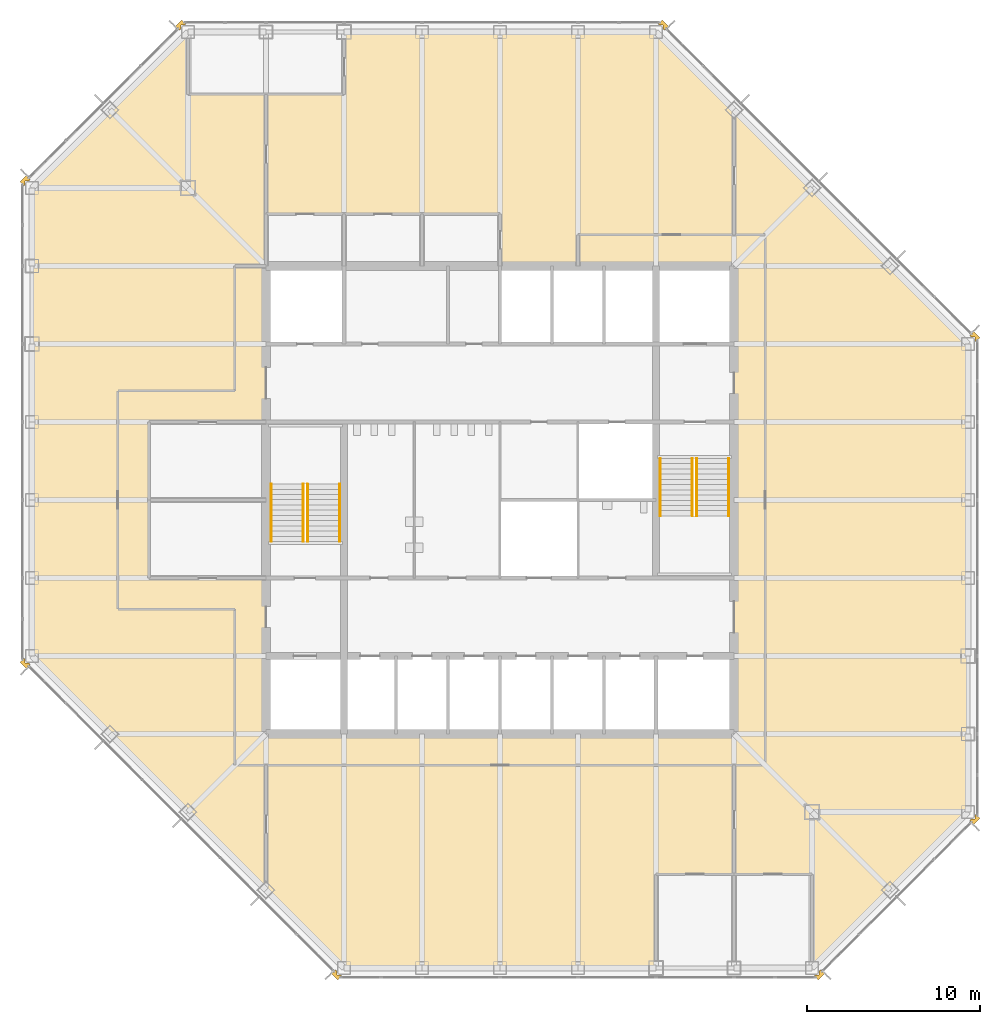
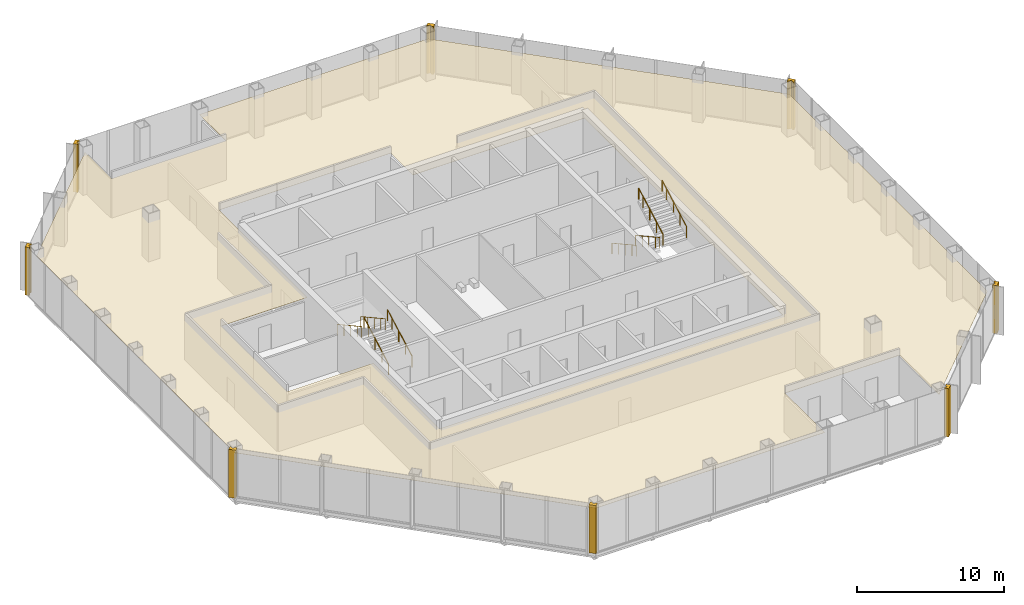
# One storey, part 11 of 12: 9 coverings, 8 railings.
"""IFC4 building model written with IfcOpenShell, lengths in metres."""

from ifc_helpers import new_model, si_unit, direction, frame, origin, origin_2d, place, context, subcontext, project, spatial, polyline, circle, outline, extrude, material, layer, layer_set, type_object, element, save


model = new_model("IFC4")

# Units and contexts
model_context = context("Model", 3, precision=1e-05, world=origin(), true_north=direction((0.0, 1.0)))
body_context = subcontext(model_context, "Body", "Model", "MODEL_VIEW")
ifc_project = project(units=[si_unit("LENGTHUNIT", "METRE"), si_unit("AREAUNIT", "SQUARE_METRE"), si_unit("VOLUMEUNIT", "CUBIC_METRE"), si_unit("PLANEANGLEUNIT", "RADIAN"), si_unit("MASSUNIT", "GRAM", prefix="KILO")], contexts=[model_context])

# Site, building, storey
site_placement = place(None, origin())
site = spatial("IfcSite", under=ifc_project, at=site_placement, CompositionType="ELEMENT")
building_placement = place(site_placement, origin())
building = spatial("IfcBuilding", under=site, at=building_placement, Name="Corais Broadcast Tower", CompositionType="ELEMENT")
storey_placement = place(building_placement, frame((0.0, 0.0, 131.60009765625)))
storey = spatial("IfcBuildingStorey", under=building, at=storey_placement, Name="L29", CompositionType="ELEMENT", Elevation=131.60009765625)

# Railings
ifc_material_1 = material(Name="Stainless steel handrail", Category="steel")
railing_type = type_object("IfcRailingType", Name="Handrail 920", PredefinedType="HANDRAIL", material=ifc_material_1)
for number, where, name in (
    (1, (17.75, 24.60009765625, 0.16650390625), "HR1 L29"),
    (2, (15.89990234375, 24.60009765625, 0.16650390625), "HR1 L29"),
):
    element("IfcRailing", number, at=place(storey_placement, frame(where)), inside=storey, type_object=railing_type, Name=name, PredefinedType="HANDRAIL", context=body_context, shape_type="SweptSolid", body=[
        extrude(circle(Radius=0.02392578125, at=origin_2d()), frame((0.0, 0.0, 0.89599609375), z_axis=(0.0, 0.875504475178, 0.483210010185), x_axis=(-1.0, 0.0, 0.0)), (0.0, 0.0, 1.0), 3.79443359375),
        extrude(circle(Radius=0.02099609375, at=origin_2d()), origin(), (0.0, 0.0, 1.0), 0.871826171875),
        extrude(circle(Radius=0.02099609375, at=origin_2d()), frame((0.0, 0.906005859375, 0.5)), (0.0, 0.0, 1.0), 0.871826171875),
        extrude(circle(Radius=0.02099609375, at=origin_2d()), frame((0.0, 1.81201171875, 1.0)), (0.0, 0.0, 1.0), 0.871826171875),
        extrude(circle(Radius=0.02099609375, at=origin_2d()), frame((0.0, 2.718017578125, 1.500244140625)), (0.0, 0.0, 1.0), 0.871826171875),
        extrude(circle(Radius=0.02099609375, at=origin_2d()), frame((0.0, 3.322021484375, 1.83349609375)), (0.0, 0.0, 1.0), 0.871826171875),
    ])
for number, where, name in (
    (3, (13.800048828125, 27.922119140625, 2.16650390625), "HR1 L29"),
    (4, (15.64990234375, 27.922119140625, 2.16650390625), "HR1 L29"),
    (5, (36.25, 29.39990234375, 0.16650390625), "HR1 L29"),
    (6, (38.10009765625, 29.39990234375, 0.16650390625), "HR1 L29"),
):
    element("IfcRailing", number, at=place(storey_placement, frame(where)), inside=storey, type_object=railing_type, Name=name, PredefinedType="HANDRAIL", context=body_context, shape_type="SweptSolid", body=[
        extrude(circle(Radius=0.02392578125, at=origin_2d()), frame((0.0, 0.0, 0.89599609375), z_axis=(0.0, -0.875504475178, 0.483210010185), x_axis=(1.0, 0.0, 0.0)), (0.0, 0.0, 1.0), 3.79443359375),
        extrude(circle(Radius=0.02099609375, at=origin_2d()), origin(), (0.0, 0.0, 1.0), 0.871826171875),
        extrude(circle(Radius=0.02099609375, at=origin_2d()), frame((0.0, -0.906005859375, 0.5)), (0.0, 0.0, 1.0), 0.871826171875),
        extrude(circle(Radius=0.02099609375, at=origin_2d()), frame((0.0, -1.81201171875, 1.0)), (0.0, 0.0, 1.0), 0.871826171875),
        extrude(circle(Radius=0.02099609375, at=origin_2d()), frame((0.0, -2.718017578125, 1.500244140625)), (0.0, 0.0, 1.0), 0.871826171875),
        extrude(circle(Radius=0.02099609375, at=origin_2d()), frame((0.0, -3.322021484375, 1.83349609375)), (0.0, 0.0, 1.0), 0.871826171875),
    ])
for number, where, name in (
    (7, (40.199951171875, 26.077880859375, 2.16650390625), "HR1 L29"),
    (8, (38.35009765625, 26.077880859375, 2.16650390625), "HR1 L29"),
):
    element("IfcRailing", number, at=place(storey_placement, frame(where)), inside=storey, type_object=railing_type, Name=name, PredefinedType="HANDRAIL", context=body_context, shape_type="SweptSolid", body=[
        extrude(circle(Radius=0.02392578125, at=origin_2d()), frame((0.0, 0.0, 0.89599609375), z_axis=(0.0, 0.875504475178, 0.483210010185), x_axis=(-1.0, 0.0, 0.0)), (0.0, 0.0, 1.0), 3.79443359375),
        extrude(circle(Radius=0.02099609375, at=origin_2d()), origin(), (0.0, 0.0, 1.0), 0.871826171875),
        extrude(circle(Radius=0.02099609375, at=origin_2d()), frame((0.0, 0.906005859375, 0.5)), (0.0, 0.0, 1.0), 0.871826171875),
        extrude(circle(Radius=0.02099609375, at=origin_2d()), frame((0.0, 1.81201171875, 1.0)), (0.0, 0.0, 1.0), 0.871826171875),
        extrude(circle(Radius=0.02099609375, at=origin_2d()), frame((0.0, 2.718017578125, 1.500244140625)), (0.0, 0.0, 1.0), 0.871826171875),
        extrude(circle(Radius=0.02099609375, at=origin_2d()), frame((0.0, 3.322021484375, 1.83349609375)), (0.0, 0.0, 1.0), 0.871826171875),
    ])

# Coverings
ifc_material_2 = material(Name="Granite stone cladding", Category="masonry")
ifc_layer_1 = layer(ifc_material_2, 0.324951171875)
ifc_layer_set_1 = layer_set([ifc_layer_1], Name="Granite stone cladding")
covering_type_1 = type_object("IfcCoveringType", Name="Stone corner pier cladding 500x325", PredefinedType="CLADDING", material=ifc_layer_set_1)
covering_1_placement = place(storey_placement, origin())
element("IfcCovering", 9, at=covering_1_placement, inside=storey, type_object=covering_type_1, Name="SP1 stone corner pier L29", PredefinedType="CLADDING", context=body_context, shape_type="SweptSolid", body=[
    extrude(outline(polyline([(17.860595703125, -0.461669921875), (17.799072265625, -0.39990234375), (17.60009765625, -0.39990234375), (17.60009765625, -0.200927734375), (17.507080078125, -0.108154296875), (17.277099609375, -0.337890625), (17.630859375, -0.69140625), (17.860595703125, -0.461669921875)])), origin(), (0.0, 0.0, 1.0), 4.0),
])
covering_2_placement = place(storey_placement, origin())
element("IfcCovering", 10, at=covering_2_placement, inside=storey, type_object=covering_type_1, Name="SP1 stone corner pier L29", PredefinedType="CLADDING", context=body_context, shape_type="SweptSolid", body=[
    extrude(outline(polyline([(-0.39990234375, 17.799072265625), (-0.461669921875, 17.860595703125), (-0.69140625, 17.630859375), (-0.337890625, 17.277099609375), (-0.108154296875, 17.507080078125), (-0.200927734375, 17.60009765625), (-0.39990234375, 17.60009765625), (-0.39990234375, 17.799072265625)])), origin(), (0.0, 0.0, 1.0), 4.0),
])
covering_3_placement = place(storey_placement, origin())
element("IfcCovering", 11, at=covering_3_placement, inside=storey, type_object=covering_type_1, Name="SP1 stone corner pier L29", PredefinedType="CLADDING", context=body_context, shape_type="SweptSolid", body=[
    extrude(outline(polyline([(-0.461669921875, 45.139404296875), (-0.39990234375, 45.200927734375), (-0.39990234375, 45.39990234375), (-0.200927734375, 45.39990234375), (-0.108154296875, 45.492919921875), (-0.337890625, 45.722900390625), (-0.69140625, 45.369140625), (-0.461669921875, 45.139404296875)])), origin(), (0.0, 0.0, 1.0), 4.0),
])
covering_4_placement = place(storey_placement, origin())
element("IfcCovering", 12, at=covering_4_placement, inside=storey, type_object=covering_type_1, Name="SP1 stone corner pier L29", PredefinedType="CLADDING", context=body_context, shape_type="SweptSolid", body=[
    extrude(outline(polyline([(8.799072265625, 54.39990234375), (8.860595703125, 54.461669921875), (8.630859375, 54.69140625), (8.277099609375, 54.337890625), (8.507080078125, 54.108154296875), (8.60009765625, 54.200927734375), (8.60009765625, 54.39990234375), (8.799072265625, 54.39990234375)])), origin(), (0.0, 0.0, 1.0), 4.0),
])
covering_5_placement = place(storey_placement, origin())
element("IfcCovering", 13, at=covering_5_placement, inside=storey, type_object=covering_type_1, Name="SP1 stone corner pier L29", PredefinedType="CLADDING", context=body_context, shape_type="SweptSolid", body=[
    extrude(outline(polyline([(36.139404296875, 54.461669921875), (36.200927734375, 54.39990234375), (36.39990234375, 54.39990234375), (36.39990234375, 54.200927734375), (36.492919921875, 54.108154296875), (36.722900390625, 54.337890625), (36.369140625, 54.69140625), (36.139404296875, 54.461669921875)])), origin(), (0.0, 0.0, 1.0), 4.0),
])
covering_6_placement = place(storey_placement, origin())
element("IfcCovering", 14, at=covering_6_placement, inside=storey, type_object=covering_type_1, Name="SP1 stone corner pier L29", PredefinedType="CLADDING", context=body_context, shape_type="SweptSolid", body=[
    extrude(outline(polyline([(54.39990234375, 36.200927734375), (54.461669921875, 36.139404296875), (54.69140625, 36.369140625), (54.337890625, 36.722900390625), (54.108154296875, 36.492919921875), (54.200927734375, 36.39990234375), (54.39990234375, 36.39990234375), (54.39990234375, 36.200927734375)])), origin(), (0.0, 0.0, 1.0), 4.0),
])
covering_7_placement = place(storey_placement, origin())
element("IfcCovering", 15, at=covering_7_placement, inside=storey, type_object=covering_type_1, Name="SP1 stone corner pier L29", PredefinedType="CLADDING", context=body_context, shape_type="SweptSolid", body=[
    extrude(outline(polyline([(54.461669921875, 8.860595703125), (54.39990234375, 8.799072265625), (54.39990234375, 8.60009765625), (54.200927734375, 8.60009765625), (54.108154296875, 8.507080078125), (54.337890625, 8.277099609375), (54.69140625, 8.630859375), (54.461669921875, 8.860595703125)])), origin(), (0.0, 0.0, 1.0), 4.0),
])
covering_8_placement = place(storey_placement, origin())
element("IfcCovering", 16, at=covering_8_placement, inside=storey, type_object=covering_type_1, Name="SP1 stone corner pier L29", PredefinedType="CLADDING", context=body_context, shape_type="SweptSolid", body=[
    extrude(outline(polyline([(45.200927734375, -0.39990234375), (45.139404296875, -0.461669921875), (45.369140625, -0.69140625), (45.722900390625, -0.337890625), (45.492919921875, -0.108154296875), (45.39990234375, -0.200927734375), (45.39990234375, -0.39990234375), (45.200927734375, -0.39990234375)])), origin(), (0.0, 0.0, 1.0), 4.0),
])
ifc_material_3 = material(Name="Mineral fibre ceiling tile", Category="mineral")
ifc_layer_2 = layer(ifc_material_3, 0.02001953125)
ifc_layer_set_2 = layer_set([ifc_layer_2], Name="Mineral fibre ceiling tile")
covering_type_2 = type_object("IfcCoveringType", Name="Suspended ceiling", PredefinedType="CEILING", material=ifc_layer_set_2)
covering_9_placement = place(storey_placement, frame((0.0, 0.0, 3.219970703125)))
element("IfcCovering", 17, at=covering_9_placement, inside=storey, type_object=covering_type_2, Name="CE1 ceiling L29", PredefinedType="CEILING", context=body_context, shape_type="SweptSolid", body=[
    extrude(outline(polyline([(18.0, 0.0), (13.501708984375, 4.498291015625), (13.499755859375, 4.500244140625), (0.0, 18.0), (0.0, 45.0), (9.0, 54.0), (9.0, 50.39990234375), (18.0, 50.39990234375), (18.0, 54.0), (36.0, 54.0), (54.0, 36.0), (54.0, 9.0), (45.0, 0.0), (45.0, 5.39990234375), (36.0, 5.39990234375), (36.0, 0.0), (18.0, 0.0)]), holes=[polyline([(6.75, 22.5), (13.5, 22.5), (13.5, 13.5), (40.5, 13.5), (40.5, 40.5), (27.0, 40.5), (27.0, 43.5), (13.5, 43.5), (13.5, 31.5), (6.75, 31.5), (6.75, 22.5)])]), origin(), (0.0, 0.0, 1.0), 0.02001953125),
])

save(model, "model.ifc")
